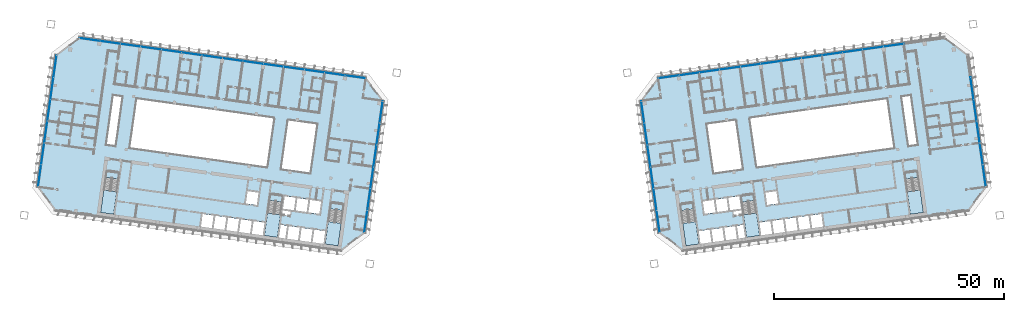
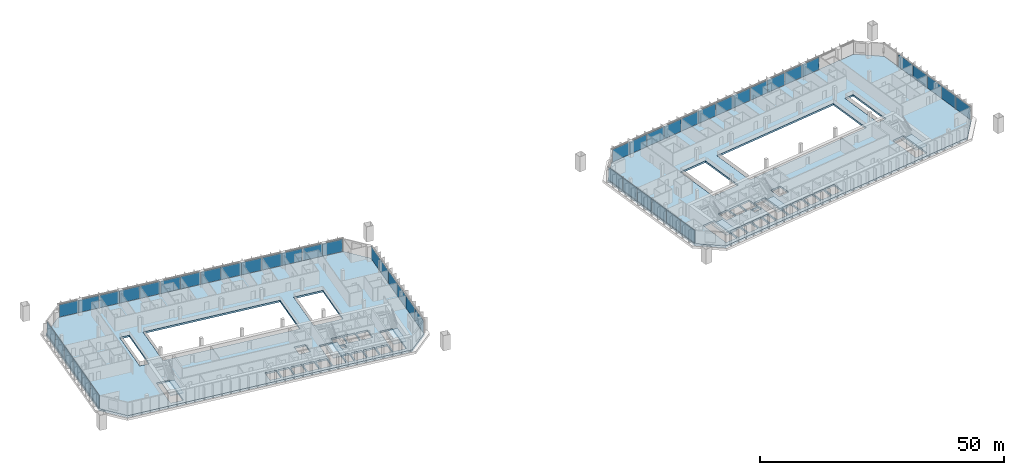
# One storey, part 12 of 26: 49 plates, 8 slabs, 12 elements without a shape of their own.
"""IFC4 building model written with IfcOpenShell, lengths in metres."""

from ifc_helpers import new_model, si_unit, direction, frame, origin, origin_2d, place, context, subcontext, project, spatial, polyline, rectangle, outline, extrude, material, layer, layer_set, type_object, element, aggregate, save


model = new_model("IFC4")

# Units and contexts
model_context = context("Model", 3, precision=1e-05, world=origin(), true_north=direction((0.0, 1.0)))
body_context = subcontext(model_context, "Body", "Model", "MODEL_VIEW")
ifc_project = project(units=[si_unit("LENGTHUNIT", "METRE"), si_unit("AREAUNIT", "SQUARE_METRE"), si_unit("VOLUMEUNIT", "CUBIC_METRE"), si_unit("PLANEANGLEUNIT", "RADIAN"), si_unit("MASSUNIT", "GRAM", prefix="KILO")], contexts=[model_context])

# Site, building, storey
site_placement = place(None, origin())
site = spatial("IfcSite", under=ifc_project, at=site_placement, CompositionType="ELEMENT")
building_placement = place(site_placement, origin())
building = spatial("IfcBuilding", under=site, at=building_placement, Name="Mirante Cascada Hotel Towers", CompositionType="ELEMENT")
storey_placement = place(building_placement, frame((0.0, 0.0, 106.3)))
storey = spatial("IfcBuildingStorey", under=building, at=storey_placement, Name="L23", CompositionType="ELEMENT", Elevation=106.3)

# Curtain wall, plates
ifc_material_1 = material(Name="Aluminium mullion and transom frame with clear laminated glass", Category="aluminium")
curtain_wall_type_1 = type_object("IfcCurtainWallType", Name="Ribbon curtain wall ECW1", PredefinedType="NOTDEFINED", material=ifc_material_1)
curtain_wall_1_placement = place(storey_placement, origin())
curtain_wall_1 = element("IfcCurtainWall", 1, at=curtain_wall_1_placement, inside=storey, type_object=curtain_wall_type_1, Name="Front ribbon wall T1 L23", PredefinedType="NOTDEFINED")
ifc_material_2 = material(Name="Clear laminated glass", Category="glass")
ifc_layer_1 = layer(ifc_material_2, 0.036)
ifc_layer_set_1 = layer_set([ifc_layer_1], Name="ECW1 glass panel 36")
plate_type_1 = type_object("IfcPlateType", Name="ECW1 glass panel 36", PredefinedType="CURTAIN_PANEL", material=ifc_layer_set_1)
plate_1_placement = place(storey_placement, frame((-91.9184, 25.7373, 0.1), z_axis=(0.0, 0.0, 1.0), x_axis=(0.9902681, -0.1391731, 0.0)))
plate_1 = element("IfcPlate", 2, at=plate_1_placement, type_object=plate_type_1, Name="ECW1 panel 1", PredefinedType="CURTAIN_PANEL", context=body_context, shape_type="SweptSolid", body=[
    extrude(rectangle(XDim=4.3936, YDim=0.036, at=origin_2d()), origin(), (0.0, 0.0, 1.0), 3.15),
])
plate_2_placement = place(storey_placement, frame((-87.487, 25.1145, 0.1), z_axis=(0.0, 0.0, 1.0), x_axis=(0.9902681, -0.1391731, 0.0)))
plate_2 = element("IfcPlate", 3, at=plate_2_placement, type_object=plate_type_1, Name="ECW1 panel 2", PredefinedType="CURTAIN_PANEL", context=body_context, shape_type="SweptSolid", body=[
    extrude(rectangle(XDim=4.4261, YDim=0.036, at=origin_2d()), origin(), (0.0, 0.0, 1.0), 3.15),
])
plate_3_placement = place(storey_placement, frame((-83.0396, 24.4895, 0.1), z_axis=(0.0, 0.0, 1.0), x_axis=(0.9902681, -0.1391731, 0.0)))
plate_3 = element("IfcPlate", 4, at=plate_3_placement, type_object=plate_type_1, Name="ECW1 panel 3", PredefinedType="CURTAIN_PANEL", context=body_context, shape_type="SweptSolid", body=[
    extrude(rectangle(XDim=4.4261, YDim=0.036, at=origin_2d()), origin(), (0.0, 0.0, 1.0), 3.15),
])
plate_4_placement = place(storey_placement, frame((-78.5922, 23.8644, 0.1), z_axis=(0.0, 0.0, 1.0), x_axis=(0.9902681, -0.1391731, 0.0)))
plate_4 = element("IfcPlate", 5, at=plate_4_placement, type_object=plate_type_1, Name="ECW1 panel 4", PredefinedType="CURTAIN_PANEL", context=body_context, shape_type="SweptSolid", body=[
    extrude(rectangle(XDim=4.4261, YDim=0.036, at=origin_2d()), origin(), (0.0, 0.0, 1.0), 3.15),
])
plate_5_placement = place(storey_placement, frame((-74.1448, 23.2394, 0.1), z_axis=(0.0, 0.0, 1.0), x_axis=(0.9902681, -0.1391731, 0.0)))
plate_5 = element("IfcPlate", 6, at=plate_5_placement, type_object=plate_type_1, Name="ECW1 panel 5", PredefinedType="CURTAIN_PANEL", context=body_context, shape_type="SweptSolid", body=[
    extrude(rectangle(XDim=4.4261, YDim=0.036, at=origin_2d()), origin(), (0.0, 0.0, 1.0), 3.15),
])
plate_6_placement = place(storey_placement, frame((-69.6974, 22.6144, 0.1), z_axis=(0.0, 0.0, 1.0), x_axis=(0.9902681, -0.1391731, 0.0)))
plate_6 = element("IfcPlate", 7, at=plate_6_placement, type_object=plate_type_1, Name="ECW1 panel 6", PredefinedType="CURTAIN_PANEL", context=body_context, shape_type="SweptSolid", body=[
    extrude(rectangle(XDim=4.4261, YDim=0.036, at=origin_2d()), origin(), (0.0, 0.0, 1.0), 3.15),
])
plate_7_placement = place(storey_placement, frame((-65.2499, 21.9893, 0.1), z_axis=(0.0, 0.0, 1.0), x_axis=(0.9902681, -0.1391731, 0.0)))
plate_7 = element("IfcPlate", 8, at=plate_7_placement, type_object=plate_type_1, Name="ECW1 panel 7", PredefinedType="CURTAIN_PANEL", context=body_context, shape_type="SweptSolid", body=[
    extrude(rectangle(XDim=4.4261, YDim=0.036, at=origin_2d()), origin(), (0.0, 0.0, 1.0), 3.15),
])
plate_8_placement = place(storey_placement, frame((-60.8025, 21.3643, 0.1), z_axis=(0.0, 0.0, 1.0), x_axis=(0.9902681, -0.1391731, 0.0)))
plate_8 = element("IfcPlate", 9, at=plate_8_placement, type_object=plate_type_1, Name="ECW1 panel 8", PredefinedType="CURTAIN_PANEL", context=body_context, shape_type="SweptSolid", body=[
    extrude(rectangle(XDim=4.4261, YDim=0.036, at=origin_2d()), origin(), (0.0, 0.0, 1.0), 3.15),
])
plate_9_placement = place(storey_placement, frame((-56.3551, 20.7392, 0.1), z_axis=(0.0, 0.0, 1.0), x_axis=(0.9902681, -0.1391731, 0.0)))
plate_9 = element("IfcPlate", 10, at=plate_9_placement, type_object=plate_type_1, Name="ECW1 panel 9", PredefinedType="CURTAIN_PANEL", context=body_context, shape_type="SweptSolid", body=[
    extrude(rectangle(XDim=4.4261, YDim=0.036, at=origin_2d()), origin(), (0.0, 0.0, 1.0), 3.15),
])
plate_10_placement = place(storey_placement, frame((-51.9077, 20.1142, 0.1), z_axis=(0.0, 0.0, 1.0), x_axis=(0.9902681, -0.1391731, 0.0)))
plate_10 = element("IfcPlate", 11, at=plate_10_placement, type_object=plate_type_1, Name="ECW1 panel 10", PredefinedType="CURTAIN_PANEL", context=body_context, shape_type="SweptSolid", body=[
    extrude(rectangle(XDim=4.4261, YDim=0.036, at=origin_2d()), origin(), (0.0, 0.0, 1.0), 3.15),
])
plate_11_placement = place(storey_placement, frame((-47.4603, 19.4891, 0.1), z_axis=(0.0, 0.0, 1.0), x_axis=(0.9902681, -0.1391731, 0.0)))
plate_11 = element("IfcPlate", 12, at=plate_11_placement, type_object=plate_type_1, Name="ECW1 panel 11", PredefinedType="CURTAIN_PANEL", context=body_context, shape_type="SweptSolid", body=[
    extrude(rectangle(XDim=4.4261, YDim=0.036, at=origin_2d()), origin(), (0.0, 0.0, 1.0), 3.15),
])
plate_12_placement = place(storey_placement, frame((-43.0129, 18.8641, 0.1), z_axis=(0.0, 0.0, 1.0), x_axis=(0.9902681, -0.1391731, 0.0)))
plate_12 = element("IfcPlate", 13, at=plate_12_placement, type_object=plate_type_1, Name="ECW1 panel 12", PredefinedType="CURTAIN_PANEL", context=body_context, shape_type="SweptSolid", body=[
    extrude(rectangle(XDim=4.4261, YDim=0.036, at=origin_2d()), origin(), (0.0, 0.0, 1.0), 3.15),
])
plate_13_placement = place(storey_placement, frame((-38.5654, 18.239, 0.1), z_axis=(0.0, 0.0, 1.0), x_axis=(0.9902681, -0.1391731, 0.0)))
plate_13 = element("IfcPlate", 14, at=plate_13_placement, type_object=plate_type_1, Name="ECW1 panel 13", PredefinedType="CURTAIN_PANEL", context=body_context, shape_type="SweptSolid", body=[
    extrude(rectangle(XDim=4.4261, YDim=0.036, at=origin_2d()), origin(), (0.0, 0.0, 1.0), 3.15),
])
plate_14_placement = place(storey_placement, frame((-34.1341, 17.6163, 0.1), z_axis=(0.0, 0.0, 1.0), x_axis=(0.9902681, -0.1391731, 0.0)))
plate_14 = element("IfcPlate", 15, at=plate_14_placement, type_object=plate_type_1, Name="ECW1 panel 14", PredefinedType="CURTAIN_PANEL", context=body_context, shape_type="SweptSolid", body=[
    extrude(rectangle(XDim=4.3936, YDim=0.036, at=origin_2d()), origin(), (0.0, 0.0, 1.0), 3.15),
])
aggregate(curtain_wall_1, [plate_1, plate_2, plate_3, plate_4, plate_5, plate_6, plate_7, plate_8, plate_9, plate_10, plate_11, plate_12, plate_13, plate_14])

curtain_wall_2_placement = place(storey_placement, origin())
curtain_wall_2 = element("IfcCurtainWall", 16, at=curtain_wall_2_placement, inside=storey, type_object=curtain_wall_type_1, Name="Front ribbon wall T2 L23", PredefinedType="NOTDEFINED")
plate_15_placement = place(storey_placement, frame((83.0396, 24.4895, 0.1), z_axis=(0.0, 0.0, 1.0), x_axis=(-0.9902681, -0.1391731, 0.0)))
plate_15 = element("IfcPlate", 17, at=plate_15_placement, type_object=plate_type_1, Name="ECW1 panel 3", PredefinedType="CURTAIN_PANEL", context=body_context, shape_type="SweptSolid", body=[
    extrude(rectangle(XDim=4.4261, YDim=0.036, at=origin_2d()), origin(), (0.0, 0.0, 1.0), 3.15),
])
plate_16_placement = place(storey_placement, frame((78.5922, 23.8644, 0.1), z_axis=(0.0, 0.0, 1.0), x_axis=(-0.9902681, -0.1391731, 0.0)))
plate_16 = element("IfcPlate", 18, at=plate_16_placement, type_object=plate_type_1, Name="ECW1 panel 4", PredefinedType="CURTAIN_PANEL", context=body_context, shape_type="SweptSolid", body=[
    extrude(rectangle(XDim=4.4261, YDim=0.036, at=origin_2d()), origin(), (0.0, 0.0, 1.0), 3.15),
])
plate_17_placement = place(storey_placement, frame((74.1448, 23.2394, 0.1), z_axis=(0.0, 0.0, 1.0), x_axis=(-0.9902681, -0.1391731, 0.0)))
plate_17 = element("IfcPlate", 19, at=plate_17_placement, type_object=plate_type_1, Name="ECW1 panel 5", PredefinedType="CURTAIN_PANEL", context=body_context, shape_type="SweptSolid", body=[
    extrude(rectangle(XDim=4.4261, YDim=0.036, at=origin_2d()), origin(), (0.0, 0.0, 1.0), 3.15),
])
plate_18_placement = place(storey_placement, frame((69.6974, 22.6144, 0.1), z_axis=(0.0, 0.0, 1.0), x_axis=(-0.9902681, -0.1391731, 0.0)))
plate_18 = element("IfcPlate", 20, at=plate_18_placement, type_object=plate_type_1, Name="ECW1 panel 6", PredefinedType="CURTAIN_PANEL", context=body_context, shape_type="SweptSolid", body=[
    extrude(rectangle(XDim=4.4261, YDim=0.036, at=origin_2d()), origin(), (0.0, 0.0, 1.0), 3.15),
])
plate_19_placement = place(storey_placement, frame((65.2499, 21.9893, 0.1), z_axis=(0.0, 0.0, 1.0), x_axis=(-0.9902681, -0.1391731, 0.0)))
plate_19 = element("IfcPlate", 21, at=plate_19_placement, type_object=plate_type_1, Name="ECW1 panel 7", PredefinedType="CURTAIN_PANEL", context=body_context, shape_type="SweptSolid", body=[
    extrude(rectangle(XDim=4.4261, YDim=0.036, at=origin_2d()), origin(), (0.0, 0.0, 1.0), 3.15),
])
plate_20_placement = place(storey_placement, frame((60.8025, 21.3643, 0.1), z_axis=(0.0, 0.0, 1.0), x_axis=(-0.9902681, -0.1391731, 0.0)))
plate_20 = element("IfcPlate", 22, at=plate_20_placement, type_object=plate_type_1, Name="ECW1 panel 8", PredefinedType="CURTAIN_PANEL", context=body_context, shape_type="SweptSolid", body=[
    extrude(rectangle(XDim=4.4261, YDim=0.036, at=origin_2d()), origin(), (0.0, 0.0, 1.0), 3.15),
])
plate_21_placement = place(storey_placement, frame((56.3551, 20.7392, 0.1), z_axis=(0.0, 0.0, 1.0), x_axis=(-0.9902681, -0.1391731, 0.0)))
plate_21 = element("IfcPlate", 23, at=plate_21_placement, type_object=plate_type_1, Name="ECW1 panel 9", PredefinedType="CURTAIN_PANEL", context=body_context, shape_type="SweptSolid", body=[
    extrude(rectangle(XDim=4.4261, YDim=0.036, at=origin_2d()), origin(), (0.0, 0.0, 1.0), 3.15),
])
plate_22_placement = place(storey_placement, frame((51.9077, 20.1142, 0.1), z_axis=(0.0, 0.0, 1.0), x_axis=(-0.9902681, -0.1391731, 0.0)))
plate_22 = element("IfcPlate", 24, at=plate_22_placement, type_object=plate_type_1, Name="ECW1 panel 10", PredefinedType="CURTAIN_PANEL", context=body_context, shape_type="SweptSolid", body=[
    extrude(rectangle(XDim=4.4261, YDim=0.036, at=origin_2d()), origin(), (0.0, 0.0, 1.0), 3.15),
])
plate_23_placement = place(storey_placement, frame((47.4603, 19.4891, 0.1), z_axis=(0.0, 0.0, 1.0), x_axis=(-0.9902681, -0.1391731, 0.0)))
plate_23 = element("IfcPlate", 25, at=plate_23_placement, type_object=plate_type_1, Name="ECW1 panel 11", PredefinedType="CURTAIN_PANEL", context=body_context, shape_type="SweptSolid", body=[
    extrude(rectangle(XDim=4.4261, YDim=0.036, at=origin_2d()), origin(), (0.0, 0.0, 1.0), 3.15),
])
plate_24_placement = place(storey_placement, frame((43.0129, 18.8641, 0.1), z_axis=(0.0, 0.0, 1.0), x_axis=(-0.9902681, -0.1391731, 0.0)))
plate_24 = element("IfcPlate", 26, at=plate_24_placement, type_object=plate_type_1, Name="ECW1 panel 12", PredefinedType="CURTAIN_PANEL", context=body_context, shape_type="SweptSolid", body=[
    extrude(rectangle(XDim=4.4261, YDim=0.036, at=origin_2d()), origin(), (0.0, 0.0, 1.0), 3.15),
])
plate_25_placement = place(storey_placement, frame((38.5654, 18.239, 0.1), z_axis=(0.0, 0.0, 1.0), x_axis=(-0.9902681, -0.1391731, 0.0)))
plate_25 = element("IfcPlate", 27, at=plate_25_placement, type_object=plate_type_1, Name="ECW1 panel 13", PredefinedType="CURTAIN_PANEL", context=body_context, shape_type="SweptSolid", body=[
    extrude(rectangle(XDim=4.4261, YDim=0.036, at=origin_2d()), origin(), (0.0, 0.0, 1.0), 3.15),
])
plate_26_placement = place(storey_placement, frame((34.1341, 17.6163, 0.1), z_axis=(0.0, 0.0, 1.0), x_axis=(-0.9902681, -0.1391731, 0.0)))
plate_26 = element("IfcPlate", 28, at=plate_26_placement, type_object=plate_type_1, Name="ECW1 panel 14", PredefinedType="CURTAIN_PANEL", context=body_context, shape_type="SweptSolid", body=[
    extrude(rectangle(XDim=4.3936, YDim=0.036, at=origin_2d()), origin(), (0.0, 0.0, 1.0), 3.15),
])
aggregate(curtain_wall_2, [plate_15, plate_16, plate_17, plate_18, plate_19, plate_20, plate_21, plate_22, plate_23, plate_24, plate_25, plate_26])

ifc_material_3 = material(Name="Aluminium mullion and transom frame with clear laminated glass", Category="aluminium")
curtain_wall_type_2 = type_object("IfcCurtainWallType", Name="End ribbon curtain wall ECW2", PredefinedType="NOTDEFINED", material=ifc_material_3)
curtain_wall_3_placement = place(storey_placement, origin())
curtain_wall_3 = element("IfcCurtainWall", 29, at=curtain_wall_3_placement, inside=storey, type_object=curtain_wall_type_2, Name="Inner end wall T1 L23", PredefinedType="NOTDEFINED")
ifc_material_4 = material(Name="Clear laminated glass", Category="glass")
ifc_layer_2 = layer(ifc_material_4, 0.034)
ifc_layer_set_2 = layer_set([ifc_layer_2], Name="ECW2 glass panel 34")
plate_type_2 = type_object("IfcPlateType", Name="ECW2 glass panel 34", PredefinedType="CURTAIN_PANEL", material=ifc_layer_set_2)
plate_27_placement = place(storey_placement, frame((-28.4763, 9.9193, 0.1), z_axis=(0.0, 0.0, 1.0), x_axis=(-0.1391731, -0.9902681, 0.0)))
plate_27 = element("IfcPlate", 30, at=plate_27_placement, type_object=plate_type_2, Name="ECW2 panel 1", PredefinedType="CURTAIN_PANEL", context=body_context, shape_type="SweptSolid", body=[
    extrude(rectangle(XDim=4.7151, YDim=0.034, at=origin_2d()), origin(), (0.0, 0.0, 1.0), 3.15),
])
plate_28_placement = place(storey_placement, frame((-29.1439, 5.1696, 0.1), z_axis=(0.0, 0.0, 1.0), x_axis=(-0.1391731, -0.9902681, 0.0)))
plate_28 = element("IfcPlate", 31, at=plate_28_placement, type_object=plate_type_2, Name="ECW2 panel 2", PredefinedType="CURTAIN_PANEL", context=body_context, shape_type="SweptSolid", body=[
    extrude(rectangle(XDim=4.7476, YDim=0.034, at=origin_2d()), origin(), (0.0, 0.0, 1.0), 3.15),
])
plate_29_placement = place(storey_placement, frame((-29.8136, 0.4038, 0.1), z_axis=(0.0, 0.0, 1.0), x_axis=(-0.1391731, -0.9902681, 0.0)))
plate_29 = element("IfcPlate", 32, at=plate_29_placement, type_object=plate_type_2, Name="ECW2 panel 3", PredefinedType="CURTAIN_PANEL", context=body_context, shape_type="SweptSolid", body=[
    extrude(rectangle(XDim=4.7476, YDim=0.034, at=origin_2d()), origin(), (0.0, 0.0, 1.0), 3.15),
])
plate_30_placement = place(storey_placement, frame((-30.4834, -4.362, 0.1), z_axis=(0.0, 0.0, 1.0), x_axis=(-0.1391731, -0.9902681, 0.0)))
plate_30 = element("IfcPlate", 33, at=plate_30_placement, type_object=plate_type_2, Name="ECW2 panel 4", PredefinedType="CURTAIN_PANEL", context=body_context, shape_type="SweptSolid", body=[
    extrude(rectangle(XDim=4.7476, YDim=0.034, at=origin_2d()), origin(), (0.0, 0.0, 1.0), 3.15),
])
plate_31_placement = place(storey_placement, frame((-31.1532, -9.1278, 0.1), z_axis=(0.0, 0.0, 1.0), x_axis=(-0.1391731, -0.9902681, 0.0)))
plate_31 = element("IfcPlate", 34, at=plate_31_placement, type_object=plate_type_2, Name="ECW2 panel 5", PredefinedType="CURTAIN_PANEL", context=body_context, shape_type="SweptSolid", body=[
    extrude(rectangle(XDim=4.7476, YDim=0.034, at=origin_2d()), origin(), (0.0, 0.0, 1.0), 3.15),
])
plate_32_placement = place(storey_placement, frame((-31.8207, -13.8775, 0.1), z_axis=(0.0, 0.0, 1.0), x_axis=(-0.1391731, -0.9902681, 0.0)))
plate_32 = element("IfcPlate", 35, at=plate_32_placement, type_object=plate_type_2, Name="ECW2 panel 6", PredefinedType="CURTAIN_PANEL", context=body_context, shape_type="SweptSolid", body=[
    extrude(rectangle(XDim=4.7151, YDim=0.034, at=origin_2d()), origin(), (0.0, 0.0, 1.0), 3.15),
])
aggregate(curtain_wall_3, [plate_27, plate_28, plate_29, plate_30, plate_31, plate_32])

curtain_wall_4_placement = place(storey_placement, origin())
curtain_wall_4 = element("IfcCurtainWall", 36, at=curtain_wall_4_placement, inside=storey, type_object=curtain_wall_type_2, Name="Outer end wall T1 L23", PredefinedType="NOTDEFINED")
plate_33_placement = place(storey_placement, frame((-102.823, -3.8988, 0.1), z_axis=(0.0, 0.0, 1.0), x_axis=(0.1391731, 0.9902681, 0.0)))
plate_33 = element("IfcPlate", 37, at=plate_33_placement, type_object=plate_type_2, Name="ECW2 panel 1", PredefinedType="CURTAIN_PANEL", context=body_context, shape_type="SweptSolid", body=[
    extrude(rectangle(XDim=4.7151, YDim=0.034, at=origin_2d()), origin(), (0.0, 0.0, 1.0), 3.15),
])
plate_34_placement = place(storey_placement, frame((-102.1554, 0.8509, 0.1), z_axis=(0.0, 0.0, 1.0), x_axis=(0.1391731, 0.9902681, 0.0)))
plate_34 = element("IfcPlate", 38, at=plate_34_placement, type_object=plate_type_2, Name="ECW2 panel 2", PredefinedType="CURTAIN_PANEL", context=body_context, shape_type="SweptSolid", body=[
    extrude(rectangle(XDim=4.7476, YDim=0.034, at=origin_2d()), origin(), (0.0, 0.0, 1.0), 3.15),
])
plate_35_placement = place(storey_placement, frame((-101.4857, 5.6167, 0.1), z_axis=(0.0, 0.0, 1.0), x_axis=(0.1391731, 0.9902681, 0.0)))
plate_35 = element("IfcPlate", 39, at=plate_35_placement, type_object=plate_type_2, Name="ECW2 panel 3", PredefinedType="CURTAIN_PANEL", context=body_context, shape_type="SweptSolid", body=[
    extrude(rectangle(XDim=4.7476, YDim=0.034, at=origin_2d()), origin(), (0.0, 0.0, 1.0), 3.15),
])
plate_36_placement = place(storey_placement, frame((-100.8159, 10.3825, 0.1), z_axis=(0.0, 0.0, 1.0), x_axis=(0.1391731, 0.9902681, 0.0)))
plate_36 = element("IfcPlate", 40, at=plate_36_placement, type_object=plate_type_2, Name="ECW2 panel 4", PredefinedType="CURTAIN_PANEL", context=body_context, shape_type="SweptSolid", body=[
    extrude(rectangle(XDim=4.7476, YDim=0.034, at=origin_2d()), origin(), (0.0, 0.0, 1.0), 3.15),
])
plate_37_placement = place(storey_placement, frame((-100.1461, 15.1483, 0.1), z_axis=(0.0, 0.0, 1.0), x_axis=(0.1391731, 0.9902681, 0.0)))
plate_37 = element("IfcPlate", 41, at=plate_37_placement, type_object=plate_type_2, Name="ECW2 panel 5", PredefinedType="CURTAIN_PANEL", context=body_context, shape_type="SweptSolid", body=[
    extrude(rectangle(XDim=4.7476, YDim=0.034, at=origin_2d()), origin(), (0.0, 0.0, 1.0), 3.15),
])
plate_38_placement = place(storey_placement, frame((-99.4786, 19.898, 0.1), z_axis=(0.0, 0.0, 1.0), x_axis=(0.1391731, 0.9902681, 0.0)))
plate_38 = element("IfcPlate", 42, at=plate_38_placement, type_object=plate_type_2, Name="ECW2 panel 6", PredefinedType="CURTAIN_PANEL", context=body_context, shape_type="SweptSolid", body=[
    extrude(rectangle(XDim=4.7151, YDim=0.034, at=origin_2d()), origin(), (0.0, 0.0, 1.0), 3.15),
])
aggregate(curtain_wall_4, [plate_33, plate_34, plate_35, plate_36, plate_37, plate_38])

curtain_wall_5_placement = place(storey_placement, origin())
curtain_wall_5 = element("IfcCurtainWall", 43, at=curtain_wall_5_placement, inside=storey, type_object=curtain_wall_type_2, Name="Inner end wall T2 L23", PredefinedType="NOTDEFINED")
plate_39_placement = place(storey_placement, frame((28.4763, 9.9193, 0.1), z_axis=(0.0, 0.0, 1.0), x_axis=(0.1391731, -0.9902681, 0.0)))
plate_39 = element("IfcPlate", 44, at=plate_39_placement, type_object=plate_type_2, Name="ECW2 panel 1", PredefinedType="CURTAIN_PANEL", context=body_context, shape_type="SweptSolid", body=[
    extrude(rectangle(XDim=4.7151, YDim=0.034, at=origin_2d()), origin(), (0.0, 0.0, 1.0), 3.15),
])
plate_40_placement = place(storey_placement, frame((29.1439, 5.1696, 0.1), z_axis=(0.0, 0.0, 1.0), x_axis=(0.1391731, -0.9902681, 0.0)))
plate_40 = element("IfcPlate", 45, at=plate_40_placement, type_object=plate_type_2, Name="ECW2 panel 2", PredefinedType="CURTAIN_PANEL", context=body_context, shape_type="SweptSolid", body=[
    extrude(rectangle(XDim=4.7476, YDim=0.034, at=origin_2d()), origin(), (0.0, 0.0, 1.0), 3.15),
])
plate_41_placement = place(storey_placement, frame((29.8136, 0.4038, 0.1), z_axis=(0.0, 0.0, 1.0), x_axis=(0.1391731, -0.9902681, 0.0)))
plate_41 = element("IfcPlate", 46, at=plate_41_placement, type_object=plate_type_2, Name="ECW2 panel 3", PredefinedType="CURTAIN_PANEL", context=body_context, shape_type="SweptSolid", body=[
    extrude(rectangle(XDim=4.7476, YDim=0.034, at=origin_2d()), origin(), (0.0, 0.0, 1.0), 3.15),
])
plate_42_placement = place(storey_placement, frame((30.4834, -4.362, 0.1), z_axis=(0.0, 0.0, 1.0), x_axis=(0.1391731, -0.9902681, 0.0)))
plate_42 = element("IfcPlate", 47, at=plate_42_placement, type_object=plate_type_2, Name="ECW2 panel 4", PredefinedType="CURTAIN_PANEL", context=body_context, shape_type="SweptSolid", body=[
    extrude(rectangle(XDim=4.7476, YDim=0.034, at=origin_2d()), origin(), (0.0, 0.0, 1.0), 3.15),
])
plate_43_placement = place(storey_placement, frame((31.1532, -9.1278, 0.1), z_axis=(0.0, 0.0, 1.0), x_axis=(0.1391731, -0.9902681, 0.0)))
plate_43 = element("IfcPlate", 48, at=plate_43_placement, type_object=plate_type_2, Name="ECW2 panel 5", PredefinedType="CURTAIN_PANEL", context=body_context, shape_type="SweptSolid", body=[
    extrude(rectangle(XDim=4.7476, YDim=0.034, at=origin_2d()), origin(), (0.0, 0.0, 1.0), 3.15),
])
plate_44_placement = place(storey_placement, frame((31.8207, -13.8775, 0.1), z_axis=(0.0, 0.0, 1.0), x_axis=(0.1391731, -0.9902681, 0.0)))
plate_44 = element("IfcPlate", 49, at=plate_44_placement, type_object=plate_type_2, Name="ECW2 panel 6", PredefinedType="CURTAIN_PANEL", context=body_context, shape_type="SweptSolid", body=[
    extrude(rectangle(XDim=4.7151, YDim=0.034, at=origin_2d()), origin(), (0.0, 0.0, 1.0), 3.15),
])
aggregate(curtain_wall_5, [plate_39, plate_40, plate_41, plate_42, plate_43, plate_44])

curtain_wall_6_placement = place(storey_placement, origin())
curtain_wall_6 = element("IfcCurtainWall", 50, at=curtain_wall_6_placement, inside=storey, type_object=curtain_wall_type_2, Name="Outer end wall T2 L23", PredefinedType="NOTDEFINED")
plate_45_placement = place(storey_placement, frame((102.823, -3.8988, 0.1), z_axis=(0.0, 0.0, 1.0), x_axis=(-0.1391731, 0.9902681, 0.0)))
plate_45 = element("IfcPlate", 51, at=plate_45_placement, type_object=plate_type_2, Name="ECW2 panel 1", PredefinedType="CURTAIN_PANEL", context=body_context, shape_type="SweptSolid", body=[
    extrude(rectangle(XDim=4.7151, YDim=0.034, at=origin_2d()), origin(), (0.0, 0.0, 1.0), 3.15),
])
plate_46_placement = place(storey_placement, frame((102.1554, 0.8509, 0.1), z_axis=(0.0, 0.0, 1.0), x_axis=(-0.1391731, 0.9902681, 0.0)))
plate_46 = element("IfcPlate", 52, at=plate_46_placement, type_object=plate_type_2, Name="ECW2 panel 2", PredefinedType="CURTAIN_PANEL", context=body_context, shape_type="SweptSolid", body=[
    extrude(rectangle(XDim=4.7476, YDim=0.034, at=origin_2d()), origin(), (0.0, 0.0, 1.0), 3.15),
])
plate_47_placement = place(storey_placement, frame((101.4857, 5.6167, 0.1), z_axis=(0.0, 0.0, 1.0), x_axis=(-0.1391731, 0.9902681, 0.0)))
plate_47 = element("IfcPlate", 53, at=plate_47_placement, type_object=plate_type_2, Name="ECW2 panel 3", PredefinedType="CURTAIN_PANEL", context=body_context, shape_type="SweptSolid", body=[
    extrude(rectangle(XDim=4.7476, YDim=0.034, at=origin_2d()), origin(), (0.0, 0.0, 1.0), 3.15),
])
plate_48_placement = place(storey_placement, frame((100.8159, 10.3825, 0.1), z_axis=(0.0, 0.0, 1.0), x_axis=(-0.1391731, 0.9902681, 0.0)))
plate_48 = element("IfcPlate", 54, at=plate_48_placement, type_object=plate_type_2, Name="ECW2 panel 4", PredefinedType="CURTAIN_PANEL", context=body_context, shape_type="SweptSolid", body=[
    extrude(rectangle(XDim=4.7476, YDim=0.034, at=origin_2d()), origin(), (0.0, 0.0, 1.0), 3.15),
])
plate_49_placement = place(storey_placement, frame((100.1461, 15.1483, 0.1), z_axis=(0.0, 0.0, 1.0), x_axis=(-0.1391731, 0.9902681, 0.0)))
plate_49 = element("IfcPlate", 55, at=plate_49_placement, type_object=plate_type_2, Name="ECW2 panel 5", PredefinedType="CURTAIN_PANEL", context=body_context, shape_type="SweptSolid", body=[
    extrude(rectangle(XDim=4.7476, YDim=0.034, at=origin_2d()), origin(), (0.0, 0.0, 1.0), 3.15),
])
aggregate(curtain_wall_6, [plate_45, plate_46, plate_47, plate_48, plate_49])

# Stair, slab
ifc_material_5 = material(Name="Concrete C35/45", Category="concrete")
stair_type = type_object("IfcStairType", Name="Exit stair half-turn 1350 concrete C35/45", PredefinedType="HALF_TURN_STAIR", material=ifc_material_5)
stair_1_placement = place(storey_placement, origin())
stair_1 = element("IfcStair", 56, at=stair_1_placement, inside=storey, type_object=stair_type, Name="L23 Exit stair A", PredefinedType="HALF_TURN_STAIR")
ifc_material_6 = material(Name="Concrete C35/45", Category="concrete")
ifc_layer_3 = layer(ifc_material_6, 0.2)
ifc_layer_set_3 = layer_set([ifc_layer_3], Name="Exit stair landing 200 concrete C35/45")
slab_type_1 = type_object("IfcSlabType", Name="Exit stair landing 200 concrete C35/45", PredefinedType="LANDING", material=ifc_layer_set_3)
slab_1_placement = place(storey_placement, frame((0.0, 0.0, 1.7)))
slab_1 = element("IfcSlab", 57, at=slab_1_placement, type_object=slab_type_1, Name="ST1-A landing 1", PredefinedType="LANDING", context=body_context, shape_type="SweptSolid", body=[
    extrude(outline(polyline([(-39.9987, -13.8659), (-40.6887, -18.7757), (-37.8665, -19.1723), (-37.1765, -14.2626), (-39.9987, -13.8659)])), origin(), (0.0, 0.0, 1.0), 0.2),
])
aggregate(stair_1, [slab_1])

stair_2_placement = place(storey_placement, origin())
stair_2 = element("IfcStair", 58, at=stair_2_placement, inside=storey, type_object=stair_type, Name="L23 Exit stair B", PredefinedType="HALF_TURN_STAIR")
slab_2_placement = place(storey_placement, frame((0.0, 0.0, 1.7)))
slab_2 = element("IfcSlab", 59, at=slab_2_placement, type_object=slab_type_1, Name="ST1-B landing 1", PredefinedType="LANDING", context=body_context, shape_type="SweptSolid", body=[
    extrude(outline(polyline([(-53.2188, -12.008), (-53.9088, -16.9177), (-51.0866, -17.3144), (-50.3965, -12.4046), (-53.2188, -12.008)])), origin(), (0.0, 0.0, 1.0), 0.2),
])
aggregate(stair_2, [slab_2])

stair_3_placement = place(storey_placement, origin())
stair_3 = element("IfcStair", 60, at=stair_3_placement, inside=storey, type_object=stair_type, Name="L23 Exit stair C", PredefinedType="HALF_TURN_STAIR")
slab_3_placement = place(storey_placement, frame((0.0, 0.0, 1.7)))
slab_3 = element("IfcSlab", 61, at=slab_3_placement, type_object=slab_type_1, Name="ST1-C landing 1", PredefinedType="LANDING", context=body_context, shape_type="SweptSolid", body=[
    extrude(outline(polyline([(-88.8685, -6.9977), (-89.5585, -11.9075), (-86.7362, -12.3041), (-86.0462, -7.3944), (-88.8685, -6.9977)])), origin(), (0.0, 0.0, 1.0), 0.2),
])
aggregate(stair_3, [slab_3])

stair_4_placement = place(storey_placement, origin())
stair_4 = element("IfcStair", 62, at=stair_4_placement, inside=storey, type_object=stair_type, Name="L23 Exit stair A", PredefinedType="HALF_TURN_STAIR")
slab_4_placement = place(storey_placement, frame((0.0, 0.0, 1.7)))
slab_4 = element("IfcSlab", 63, at=slab_4_placement, type_object=slab_type_1, Name="ST2-A landing 1", PredefinedType="LANDING", context=body_context, shape_type="SweptSolid", body=[
    extrude(outline(polyline([(37.1765, -14.2626), (37.8665, -19.1723), (40.6887, -18.7757), (39.9987, -13.8659), (37.1765, -14.2626)])), origin(), (0.0, 0.0, 1.0), 0.2),
])
aggregate(stair_4, [slab_4])

stair_5_placement = place(storey_placement, origin())
stair_5 = element("IfcStair", 64, at=stair_5_placement, inside=storey, type_object=stair_type, Name="L23 Exit stair B", PredefinedType="HALF_TURN_STAIR")
slab_5_placement = place(storey_placement, frame((0.0, 0.0, 1.7)))
slab_5 = element("IfcSlab", 65, at=slab_5_placement, type_object=slab_type_1, Name="ST2-B landing 1", PredefinedType="LANDING", context=body_context, shape_type="SweptSolid", body=[
    extrude(outline(polyline([(50.3965, -12.4046), (51.0866, -17.3144), (53.9088, -16.9177), (53.2188, -12.008), (50.3965, -12.4046)])), origin(), (0.0, 0.0, 1.0), 0.2),
])
aggregate(stair_5, [slab_5])

stair_6_placement = place(storey_placement, origin())
stair_6 = element("IfcStair", 66, at=stair_6_placement, inside=storey, type_object=stair_type, Name="L23 Exit stair C", PredefinedType="HALF_TURN_STAIR")
slab_6_placement = place(storey_placement, frame((0.0, 0.0, 1.7)))
slab_6 = element("IfcSlab", 67, at=slab_6_placement, type_object=slab_type_1, Name="ST2-C landing 1", PredefinedType="LANDING", context=body_context, shape_type="SweptSolid", body=[
    extrude(outline(polyline([(86.0462, -7.3944), (86.7362, -12.3041), (89.5585, -11.9075), (88.8685, -6.9977), (86.0462, -7.3944)])), origin(), (0.0, 0.0, 1.0), 0.2),
])
aggregate(stair_6, [slab_6])

# Slabs
ifc_material_7 = material(Name="Concrete C40/50", Category="concrete")
ifc_layer_4 = layer(ifc_material_7, 0.45)
ifc_layer_set_4 = layer_set([ifc_layer_4], Name="Post-tensioned flat plate 450 Concrete C40/50")
slab_type_2 = type_object("IfcSlabType", Name="Post-tensioned flat plate 450 Concrete C40/50", PredefinedType="FLOOR", material=ifc_layer_set_4)
slab_7_placement = place(storey_placement, frame((0.0, 0.0, -0.45)))
element("IfcSlab", 68, at=slab_7_placement, inside=storey, type_object=slab_type_2, Name="Floor T1 L23", PredefinedType="FLOOR", context=body_context, shape_type="SweptSolid", body=[
    extrude(outline(polyline([(-32.018, -16.3589), (-27.982, 12.3589), (-31.8119, 17.4414), (-94.1988, 26.2093), (-99.2813, 22.3794), (-103.3173, -6.3384), (-99.4874, -11.4209), (-37.1005, -20.1888), (-32.018, -16.3589)]), holes=[polyline([(-43.0718, -15.6132), (-40.5961, -15.9612), (-40.9858, -18.7339), (-43.4615, -18.386), (-43.0718, -15.6132)]), polyline([(-45.8446, -15.2236), (-43.3689, -15.5715), (-43.7586, -18.3442), (-46.2342, -17.9963), (-45.8446, -15.2236)]), polyline([(-48.6173, -14.8339), (-46.1416, -15.1818), (-46.5313, -17.9546), (-49.007, -17.6066), (-48.6173, -14.8339)]), polyline([(-50.3998, -14.5834), (-48.9144, -14.7921), (-49.3041, -17.5649), (-50.7895, -17.3561), (-50.3998, -14.5834)]), polyline([(-36.7887, -11.5037), (-37.8665, -19.1723), (-40.6887, -18.7757), (-39.611, -11.107), (-36.7887, -11.5037)]), polyline([(-49.9544, -11.4145), (-48.1472, -11.6685), (-48.2829, -12.634), (-50.0901, -12.38), (-49.9544, -11.4145)]), polyline([(-43.9775, -9.124), (-41.5018, -9.472), (-41.8915, -12.2447), (-44.3672, -11.8968), (-43.9775, -9.124)]), polyline([(-47.1399, -11.5071), (-46.7503, -8.7344), (-44.2746, -9.0823), (-44.6643, -11.855), (-47.1399, -11.5071)]), polyline([(-49.9127, -11.1174), (-49.523, -8.3447), (-47.0473, -8.6926), (-47.437, -11.4654), (-49.9127, -11.1174)]), polyline([(-56.2919, -13.7553), (-53.8162, -14.1032), (-54.2059, -16.876), (-56.6816, -16.528), (-56.2919, -13.7553)]), polyline([(-59.0646, -13.3656), (-56.589, -13.7135), (-56.9787, -16.4863), (-59.4543, -16.1383), (-59.0646, -13.3656)]), polyline([(-61.8374, -12.9759), (-59.3617, -13.3238), (-59.7514, -16.0966), (-62.2271, -15.7487), (-61.8374, -12.9759)]), polyline([(-64.6101, -12.5862), (-62.1345, -12.9342), (-62.5242, -15.7069), (-64.9998, -15.359), (-64.6101, -12.5862)]), polyline([(-67.3829, -12.1965), (-64.9072, -12.5445), (-65.2969, -15.3172), (-67.7726, -14.9693), (-67.3829, -12.1965)]), polyline([(-50.0088, -9.6457), (-51.0866, -17.3144), (-53.9088, -16.9177), (-52.8311, -9.2491), (-50.0088, -9.6457)]), polyline([(-85.6585, -4.6355), (-86.7362, -12.3041), (-89.5585, -11.9075), (-88.4807, -4.2388), (-85.6585, -4.6355)]), polyline([(-57.9834, -9.9832), (-57.5937, -7.2104), (-55.118, -7.5583), (-55.5077, -10.3311), (-57.9834, -9.9832)]), polyline([(-86.873, 13.6677), (-84.7325, 13.3668), (-84.7325, 13.3668), (-86.2634, 2.4739), (-86.2634, 2.4739), (-88.4039, 2.7747), (-86.873, 13.6677)]), polyline([(-51.7318, 8.7289), (-53.2627, -2.1641), (-53.2627, -2.1641), (-83.2906, 2.0561), (-83.2906, 2.0561), (-81.7597, 12.949), (-81.7597, 12.949), (-51.7318, 8.7289)]), polyline([(-42.3109, 7.4049), (-43.8418, -3.4881), (-50.2899, -2.5818), (-50.2899, -2.5818), (-48.759, 8.3111), (-42.3109, 7.4049)])]), origin(), (0.0, 0.0, 1.0), 0.45),
])
slab_8_placement = place(storey_placement, frame((0.0, 0.0, -0.45)))
element("IfcSlab", 69, at=slab_8_placement, inside=storey, type_object=slab_type_2, Name="Floor T2 L23", PredefinedType="FLOOR", context=body_context, shape_type="SweptSolid", body=[
    extrude(outline(polyline([(32.018, -16.3589), (27.982, 12.3589), (31.8119, 17.4414), (94.1988, 26.2093), (99.2813, 22.3794), (103.3173, -6.3384), (99.4874, -11.4209), (37.1005, -20.1888), (32.018, -16.3589)]), holes=[polyline([(43.0718, -15.6132), (40.5961, -15.9612), (40.9858, -18.7339), (43.4615, -18.386), (43.0718, -15.6132)]), polyline([(45.8446, -15.2236), (43.3689, -15.5715), (43.7586, -18.3442), (46.2342, -17.9963), (45.8446, -15.2236)]), polyline([(48.6173, -14.8339), (46.1416, -15.1818), (46.5313, -17.9546), (49.007, -17.6066), (48.6173, -14.8339)]), polyline([(50.3998, -14.5834), (48.9144, -14.7921), (49.3041, -17.5649), (50.7895, -17.3561), (50.3998, -14.5834)]), polyline([(37.8665, -19.1723), (40.6887, -18.7757), (39.611, -11.107), (36.7887, -11.5037), (37.8665, -19.1723)]), polyline([(49.9544, -11.4145), (48.1472, -11.6685), (48.2829, -12.634), (50.0901, -12.38), (49.9544, -11.4145)]), polyline([(43.9775, -9.124), (41.5018, -9.472), (41.8915, -12.2447), (44.3672, -11.8968), (43.9775, -9.124)]), polyline([(47.1399, -11.5071), (46.7503, -8.7344), (44.2746, -9.0823), (44.6643, -11.855), (47.1399, -11.5071)]), polyline([(49.9127, -11.1174), (49.523, -8.3447), (47.0473, -8.6926), (47.437, -11.4654), (49.9127, -11.1174)]), polyline([(56.2919, -13.7553), (53.8162, -14.1032), (54.2059, -16.876), (56.6816, -16.528), (56.2919, -13.7553)]), polyline([(59.0646, -13.3656), (56.589, -13.7135), (56.9787, -16.4863), (59.4543, -16.1383), (59.0646, -13.3656)]), polyline([(61.8374, -12.9759), (59.3617, -13.3238), (59.7514, -16.0966), (62.2271, -15.7487), (61.8374, -12.9759)]), polyline([(64.6101, -12.5862), (62.1345, -12.9342), (62.5242, -15.7069), (64.9998, -15.359), (64.6101, -12.5862)]), polyline([(67.3829, -12.1965), (64.9072, -12.5445), (65.2969, -15.3172), (67.7726, -14.9693), (67.3829, -12.1965)]), polyline([(51.0866, -17.3144), (53.9088, -16.9177), (52.8311, -9.2491), (50.0088, -9.6457), (51.0866, -17.3144)]), polyline([(86.7362, -12.3041), (89.5585, -11.9075), (88.4807, -4.2388), (85.6585, -4.6355), (86.7362, -12.3041)]), polyline([(57.9834, -9.9832), (57.5937, -7.2104), (55.118, -7.5583), (55.5077, -10.3311), (57.9834, -9.9832)]), polyline([(86.873, 13.6677), (88.4039, 2.7747), (86.2634, 2.4739), (86.2634, 2.4739), (84.7325, 13.3668), (84.7325, 13.3668), (86.873, 13.6677)]), polyline([(81.7597, 12.949), (81.7597, 12.949), (83.2906, 2.0561), (83.2906, 2.0561), (53.2627, -2.1641), (53.2627, -2.1641), (51.7318, 8.7289), (81.7597, 12.949)]), polyline([(43.8418, -3.4881), (42.3109, 7.4049), (48.759, 8.3111), (50.2899, -2.5818), (50.2899, -2.5818), (43.8418, -3.4881)])]), origin(), (0.0, 0.0, 1.0), 0.45),
])

save(model, "model.ifc")
